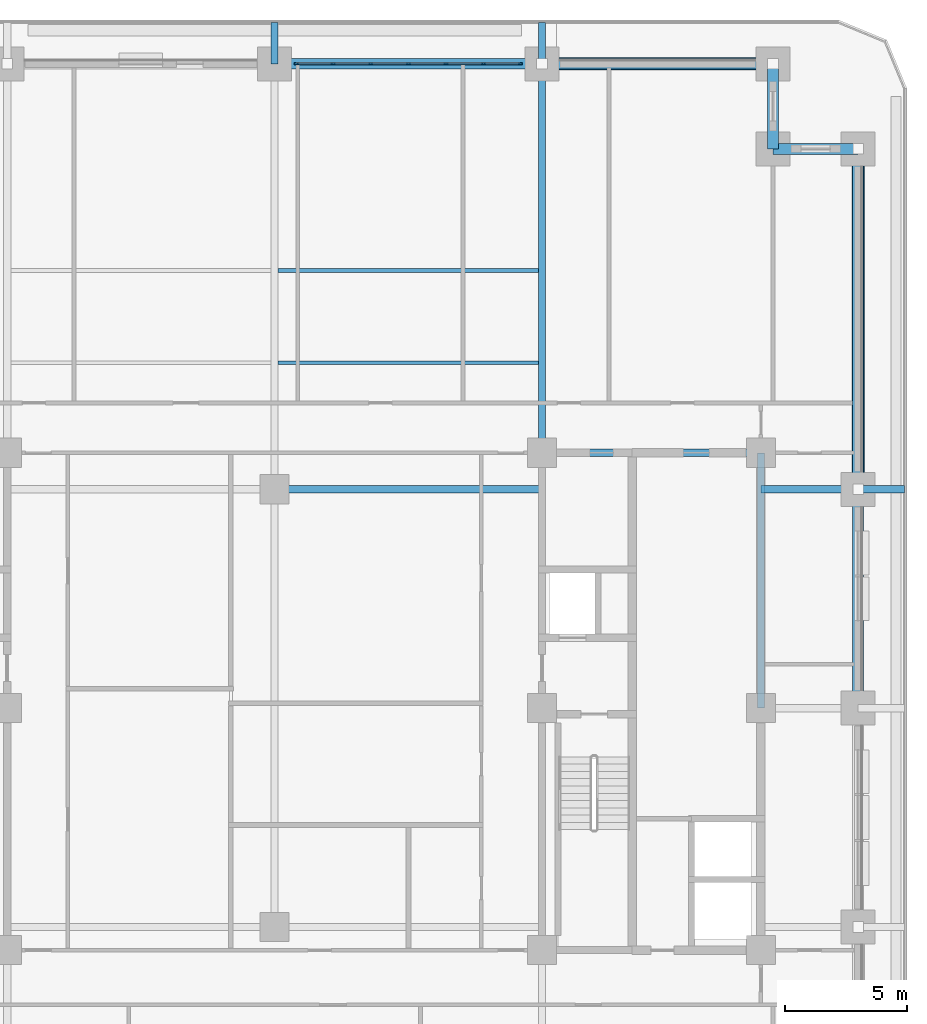
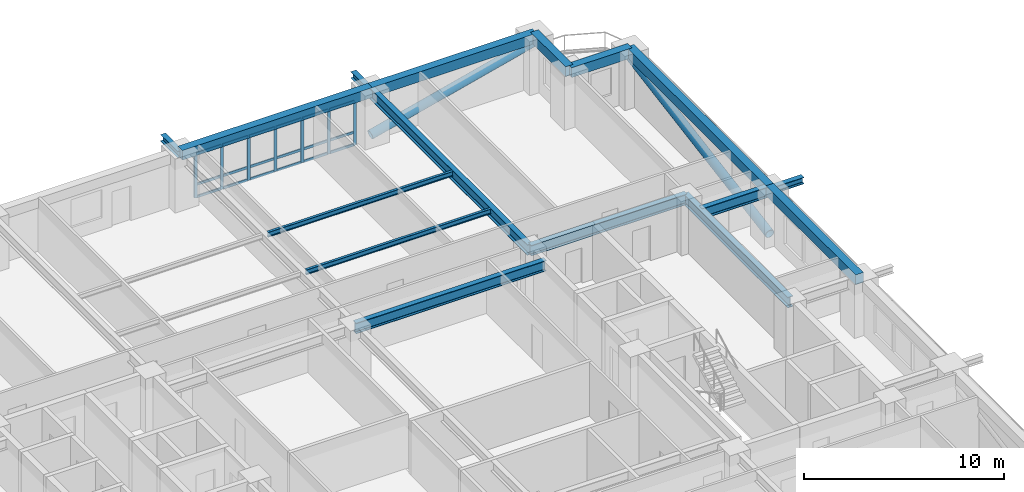
# One storey, part 6 of 20: 27 members, 16 beams, 1 element without a shape of its own.
"""IFC4 building model written with IfcOpenShell, lengths in metres."""

from ifc_helpers import new_model, si_unit, direction, frame, origin, origin_2d, place, context, subcontext, project, spatial, rectangle, hollow_circle, i_section, extrude, material, material_profile, profile_set, type_object, element, aggregate, save


model = new_model("IFC4")

# Units and contexts
model_context = context("Model", 3, precision=1e-05, world=origin(), true_north=direction((0.0, 1.0)))
body_context = subcontext(model_context, "Body", "Model", "MODEL_VIEW")
ifc_project = project(units=[si_unit("LENGTHUNIT", "METRE"), si_unit("AREAUNIT", "SQUARE_METRE"), si_unit("VOLUMEUNIT", "CUBIC_METRE"), si_unit("PLANEANGLEUNIT", "RADIAN"), si_unit("MASSUNIT", "GRAM", prefix="KILO")], contexts=[model_context])

# Site, building, storey
site_placement = place(None, origin())
site = spatial("IfcSite", under=ifc_project, at=site_placement, CompositionType="ELEMENT")
building_placement = place(site_placement, origin())
building = spatial("IfcBuilding", under=site, at=building_placement, Name="Zulmaris Gate Convention Tower", CompositionType="ELEMENT")
storey_placement = place(building_placement, frame((0.0, 0.0, 75.0400390625)))
storey = spatial("IfcBuildingStorey", under=building, at=storey_placement, Name="L18", CompositionType="ELEMENT", Elevation=75.0400390625)

# Beams
ifc_material_1 = material(Name="Steel S355", Category="steel")
ifc_material_profile_1 = material_profile(ifc_material_1, i_section(OverallWidth=0.300048828125, OverallDepth=0.39990234375, WebThickness=0.013427734375, FlangeThickness=0.02392578125, FilletRadius=0.027099609375, at=origin_2d()), Name="HEB 400")
ifc_profile_set_1 = profile_set([ifc_material_profile_1], Name="Steel S355")
beam_type_1 = type_object("IfcBeamType", Name="BM-HEB400", PredefinedType="BEAM", material=ifc_profile_set_1)
for number, where, z_axis, x_axis, name in (
    (1, (0.0, 26.5, 2.97998046875), (0.0, 1.0, 0.0), (-1.0, 0.0, 0.0), "L18 Beam TBRK-L18-N-+0"),
    (2, (11.0, 26.5, 2.97998046875), (0.0, 1.0, 0.0), (-1.0, 0.0, 0.0), "L18 Beam TBRK-L18-N-+11"),
):
    element("IfcBeam", number, at=place(storey_placement, frame(where, z_axis=z_axis, x_axis=x_axis)), inside=storey, type_object=beam_type_1, Name=name, PredefinedType="BEAM", context=body_context, shape_type="SweptSolid", body=[
        extrude(i_section(OverallWidth=0.300048828125, OverallDepth=0.39990234375, WebThickness=0.013427734375, FlangeThickness=0.02392578125, FilletRadius=0.027099609375, at=origin_2d()), origin(), (0.0, 0.0, 1.0), 1.699951171875),
    ])
beam_1_placement = place(storey_placement, frame((24.0, 9.0, 2.97998046875), z_axis=(1.0, 0.0, 0.0), x_axis=(0.0, 1.0, 0.0)))
element("IfcBeam", 3, at=beam_1_placement, inside=storey, type_object=beam_type_1, Name="L18 Beam TBRK-L18-E-+9", PredefinedType="BEAM", context=body_context, shape_type="SweptSolid", body=[
    extrude(i_section(OverallWidth=0.300048828125, OverallDepth=0.39990234375, WebThickness=0.013427734375, FlangeThickness=0.02392578125, FilletRadius=0.027099609375, at=origin_2d()), origin(), (0.0, 0.0, 1.0), 1.89990234375),
])
ifc_material_profile_2 = material_profile(ifc_material_1, i_section(OverallWidth=0.300048828125, OverallDepth=0.64990234375, WebThickness=0.01611328125, FlangeThickness=0.031005859375, FilletRadius=0.027099609375, at=origin_2d()), Name="HEB 650")
ifc_profile_set_2 = profile_set([ifc_material_profile_2], Name="Steel S355")
beam_type_2 = type_object("IfcBeamType", Name="BM-HEB650", PredefinedType="BEAM", material=ifc_profile_set_2)
beam_2_placement = place(storey_placement, frame((0.0, 9.0, 2.992919921875), z_axis=(1.0, 0.0, 0.0), x_axis=(0.0, 1.0, 0.0)))
element("IfcBeam", 4, at=beam_2_placement, inside=storey, type_object=beam_type_2, Name="L18 Beam BM-L18-G04", PredefinedType="BEAM", context=body_context, shape_type="SweptSolid", body=[
    extrude(i_section(OverallWidth=0.300048828125, OverallDepth=0.64990234375, WebThickness=0.01611328125, FlangeThickness=0.031005859375, FilletRadius=0.027099609375, at=origin_2d()), origin(), (0.0, 0.0, 1.0), 11.0),
])
beam_3_placement = place(storey_placement, frame((11.0, 10.5, 2.992919921875), z_axis=(0.0, 1.0, 0.0), x_axis=(-1.0, 0.0, 0.0)))
element("IfcBeam", 5, at=beam_3_placement, inside=storey, type_object=beam_type_2, Name="L18 Beam BM-L18-G11", PredefinedType="BEAM", context=body_context, shape_type="SweptSolid", body=[
    extrude(i_section(OverallWidth=0.300048828125, OverallDepth=0.64990234375, WebThickness=0.01611328125, FlangeThickness=0.031005859375, FilletRadius=0.027099609375, at=origin_2d()), origin(), (0.0, 0.0, 1.0), 16.0),
])
beam_4_placement = place(storey_placement, frame((20.0, 9.0, 2.992919921875), z_axis=(1.0, 0.0, 0.0), x_axis=(0.0, 1.0, 0.0)))
element("IfcBeam", 6, at=beam_4_placement, inside=storey, type_object=beam_type_2, Name="L18 Beam BM-L18-G21", PredefinedType="BEAM", context=body_context, shape_type="SweptSolid", body=[
    extrude(i_section(OverallWidth=0.300048828125, OverallDepth=0.64990234375, WebThickness=0.01611328125, FlangeThickness=0.031005859375, FilletRadius=0.027099609375, at=origin_2d()), origin(), (0.0, 0.0, 1.0), 4.0),
])
beam_5_placement = place(storey_placement, frame((11.0, 10.5, 2.992919921875), z_axis=(1.0, 0.0, 0.0), x_axis=(0.0, 1.0, 0.0)))
element("IfcBeam", 7, at=beam_5_placement, inside=storey, type_object=beam_type_2, Name="L18 Beam BM-L18-G25", PredefinedType="BEAM", context=body_context, shape_type="SweptSolid", body=[
    extrude(i_section(OverallWidth=0.300048828125, OverallDepth=0.64990234375, WebThickness=0.01611328125, FlangeThickness=0.031005859375, FilletRadius=0.027099609375, at=origin_2d()), origin(), (0.0, 0.0, 1.0), 9.0),
])
beam_6_placement = place(storey_placement, frame((20.0, 0.0, 2.992919921875), z_axis=(0.0, 1.0, 0.0), x_axis=(-1.0, 0.0, 0.0)))
element("IfcBeam", 8, at=beam_6_placement, inside=storey, type_object=beam_type_2, Name="L18 Beam BM-L18-G29", PredefinedType="BEAM", context=body_context, shape_type="SweptSolid", body=[
    extrude(i_section(OverallWidth=0.300048828125, OverallDepth=0.64990234375, WebThickness=0.01611328125, FlangeThickness=0.031005859375, FilletRadius=0.027099609375, at=origin_2d()), origin(), (0.0, 0.0, 1.0), 10.5),
])
ifc_material_2 = material(Name="Precast concrete C50/60", Category="concrete")
ifc_material_profile_3 = material_profile(ifc_material_2, rectangle(XDim=0.449951171875, YDim=0.60009765625, at=origin_2d()), Name="RC SPANDREL 450x600")
ifc_profile_set_3 = profile_set([ifc_material_profile_3], Name="Precast concrete C50/60")
beam_type_3 = type_object("IfcBeamType", Name="BM-SP450x600", PredefinedType="SPANDREL", material=ifc_profile_set_3)
beam_7_placement = place(storey_placement, frame((24.0, 0.0, 3.019775390625), z_axis=(0.0, 1.0, 0.0), x_axis=(-1.0, 0.0, 0.0)))
element("IfcBeam", 9, at=beam_7_placement, inside=storey, type_object=beam_type_3, Name="L18 Spandrel SP-L18-09", PredefinedType="SPANDREL", context=body_context, shape_type="SweptSolid", body=[
    extrude(rectangle(XDim=0.449951171875, YDim=0.60009765625, at=origin_2d()), origin(), (0.0, 0.0, 1.0), 9.0),
])
beam_8_placement = place(storey_placement, frame((24.0, 9.0, 3.019775390625), z_axis=(0.0, 1.0, 0.0), x_axis=(-1.0, 0.0, 0.0)))
element("IfcBeam", 10, at=beam_8_placement, inside=storey, type_object=beam_type_3, Name="L18 Spandrel SP-L18-10", PredefinedType="SPANDREL", context=body_context, shape_type="SweptSolid", body=[
    extrude(rectangle(XDim=0.449951171875, YDim=0.60009765625, at=origin_2d()), origin(), (0.0, 0.0, 1.0), 14.0),
])
for number, where, z_axis, x_axis, name in (
    (11, (24.0, 23.0, 3.019775390625), (-1.0, 0.0, 0.0), (0.0, -1.0, 0.0), "L18 Spandrel SP-L18-11"),
    (12, (20.5, 23.0, 3.019775390625), (0.0, 1.0, 0.0), (-1.0, 0.0, 0.0), "L18 Spandrel SP-L18-12"),
):
    element("IfcBeam", number, at=place(storey_placement, frame(where, z_axis=z_axis, x_axis=x_axis)), inside=storey, type_object=beam_type_3, Name=name, PredefinedType="SPANDREL", context=body_context, shape_type="SweptSolid", body=[
        extrude(rectangle(XDim=0.449951171875, YDim=0.60009765625, at=origin_2d()), origin(), (0.0, 0.0, 1.0), 3.5),
    ])
beam_9_placement = place(storey_placement, frame((20.5, 26.5, 3.019775390625), z_axis=(-1.0, 0.0, 0.0), x_axis=(0.0, -1.0, 0.0)))
element("IfcBeam", 13, at=beam_9_placement, inside=storey, type_object=beam_type_3, Name="L18 Spandrel SP-L18-13", PredefinedType="SPANDREL", context=body_context, shape_type="SweptSolid", body=[
    extrude(rectangle(XDim=0.449951171875, YDim=0.60009765625, at=origin_2d()), origin(), (0.0, 0.0, 1.0), 9.5),
])
beam_10_placement = place(storey_placement, frame((11.0, 26.5, 3.019775390625), z_axis=(-1.0, 0.0, 0.0), x_axis=(0.0, -1.0, 0.0)))
element("IfcBeam", 14, at=beam_10_placement, inside=storey, type_object=beam_type_3, Name="L18 Spandrel SP-L18-14", PredefinedType="SPANDREL", context=body_context, shape_type="SweptSolid", body=[
    extrude(rectangle(XDim=0.449951171875, YDim=0.60009765625, at=origin_2d()), origin(), (0.0, 0.0, 1.0), 11.0),
])

# Members
ifc_material_3 = material(Name="Steel S460", Category="steel")
ifc_material_profile_4 = material_profile(ifc_material_3, hollow_circle(Radius=0.25390625, WallThickness=0.02490234375, at=origin_2d()), Name="CHS 508x25")
ifc_profile_set_4 = profile_set([ifc_material_profile_4], Name="Steel S460")
member_type_1 = type_object("IfcMemberType", Name="BR-CHS508", PredefinedType="BRACE", material=ifc_profile_set_4)
member_1_placement = place(storey_placement, frame((24.0, 9.0, 0.300048828125), z_axis=(0.0, 0.985623399742, 0.168957136221), x_axis=(-1.0, 0.0, 0.0)))
element("IfcMember", 15, at=member_1_placement, inside=storey, type_object=member_type_1, Name="L18 Perimeter Tube Diagonal NE-E", PredefinedType="BRACE", context=body_context, shape_type="SweptSolid", body=[
    extrude(hollow_circle(Radius=0.25390625, WallThickness=0.02490234375, at=origin_2d()), origin(), (0.0, 0.0, 1.0), 14.2041015625),
])
member_2_placement = place(storey_placement, frame((11.0, 26.5, 0.300048828125), z_axis=(0.969541561087, 0.0, 0.244926848928), x_axis=(0.0, 1.0, 0.0)))
element("IfcMember", 16, at=member_2_placement, inside=storey, type_object=member_type_1, Name="L18 Perimeter Tube Diagonal NE-N", PredefinedType="BRACE", context=body_context, shape_type="SweptSolid", body=[
    extrude(hollow_circle(Radius=0.25390625, WallThickness=0.02490234375, at=origin_2d()), origin(), (0.0, 0.0, 1.0), 9.79833984375),
])

# Curtain wall, members
ifc_material_4 = material(Name="Anodised Aluminium", Category="aluminium")
curtain_wall_type = type_object("IfcCurtainWallType", Name="CW-05", PredefinedType="NOTDEFINED", material=ifc_material_4)
curtain_wall_placement = place(storey_placement, origin())
curtain_wall = element("IfcCurtainWall", 17, at=curtain_wall_placement, inside=storey, type_object=curtain_wall_type, Name="CW-05 CW05-L18-N-2_0", PredefinedType="NOTDEFINED")
ifc_material_profile_5 = material_profile(ifc_material_4, rectangle(XDim=0.074951171875, YDim=0.179931640625, at=origin_2d()), Name="ALU MULLION 75x180")
ifc_profile_set_5 = profile_set([ifc_material_profile_5], Name="Anodised Aluminium")
member_type_2 = type_object("IfcMemberType", Name="CW-05-MULL", PredefinedType="MULLION", material=ifc_profile_set_5)
member_3_placement = place(storey_placement, frame((10.1025390625, 26.5, 0.0), z_axis=(0.0, 0.0, 1.0), x_axis=(0.0, -1.0, 0.0)))
member_3 = element("IfcMember", 18, at=member_3_placement, type_object=member_type_2, Name="CW-05 mullion 1", PredefinedType="MULLION", context=body_context, shape_type="SweptSolid", body=[
    extrude(rectangle(XDim=0.074951171875, YDim=0.179931640625, at=origin_2d()), origin(), (0.0, 0.0, 1.0), 2.7119140625),
])
member_4_placement = place(storey_placement, frame((8.59326171875, 26.5, 0.0), z_axis=(0.0, 0.0, 1.0), x_axis=(0.0, -1.0, 0.0)))
member_4 = element("IfcMember", 19, at=member_4_placement, type_object=member_type_2, Name="CW-05 mullion 2", PredefinedType="MULLION", context=body_context, shape_type="SweptSolid", body=[
    extrude(rectangle(XDim=0.074951171875, YDim=0.179931640625, at=origin_2d()), origin(), (0.0, 0.0, 1.0), 2.7119140625),
])
member_5_placement = place(storey_placement, frame((7.046630859375, 26.5, 0.0), z_axis=(0.0, 0.0, 1.0), x_axis=(0.0, -1.0, 0.0)))
member_5 = element("IfcMember", 20, at=member_5_placement, type_object=member_type_2, Name="CW-05 mullion 3", PredefinedType="MULLION", context=body_context, shape_type="SweptSolid", body=[
    extrude(rectangle(XDim=0.074951171875, YDim=0.179931640625, at=origin_2d()), origin(), (0.0, 0.0, 1.0), 2.7119140625),
])
member_6_placement = place(storey_placement, frame((5.5, 26.5, 0.0), z_axis=(0.0, 0.0, 1.0), x_axis=(0.0, -1.0, 0.0)))
member_6 = element("IfcMember", 21, at=member_6_placement, type_object=member_type_2, Name="CW-05 mullion 4", PredefinedType="MULLION", context=body_context, shape_type="SweptSolid", body=[
    extrude(rectangle(XDim=0.074951171875, YDim=0.179931640625, at=origin_2d()), origin(), (0.0, 0.0, 1.0), 2.7119140625),
])
member_7_placement = place(storey_placement, frame((3.953369140625, 26.5, 0.0), z_axis=(0.0, 0.0, 1.0), x_axis=(0.0, -1.0, 0.0)))
member_7 = element("IfcMember", 22, at=member_7_placement, type_object=member_type_2, Name="CW-05 mullion 5", PredefinedType="MULLION", context=body_context, shape_type="SweptSolid", body=[
    extrude(rectangle(XDim=0.074951171875, YDim=0.179931640625, at=origin_2d()), origin(), (0.0, 0.0, 1.0), 2.7119140625),
])
member_8_placement = place(storey_placement, frame((2.40673828125, 26.5, 0.0), z_axis=(0.0, 0.0, 1.0), x_axis=(0.0, -1.0, 0.0)))
member_8 = element("IfcMember", 23, at=member_8_placement, type_object=member_type_2, Name="CW-05 mullion 6", PredefinedType="MULLION", context=body_context, shape_type="SweptSolid", body=[
    extrude(rectangle(XDim=0.074951171875, YDim=0.179931640625, at=origin_2d()), origin(), (0.0, 0.0, 1.0), 2.7119140625),
])
member_9_placement = place(storey_placement, frame((0.8974609375, 26.5, 0.0), z_axis=(0.0, 0.0, 1.0), x_axis=(0.0, -1.0, 0.0)))
member_9 = element("IfcMember", 24, at=member_9_placement, type_object=member_type_2, Name="CW-05 mullion 7", PredefinedType="MULLION", context=body_context, shape_type="SweptSolid", body=[
    extrude(rectangle(XDim=0.074951171875, YDim=0.179931640625, at=origin_2d()), origin(), (0.0, 0.0, 1.0), 2.7119140625),
])
ifc_material_profile_6 = material_profile(ifc_material_4, rectangle(XDim=0.074951171875, YDim=0.14990234375, at=origin_2d()), Name="ALU TRANSOM 75x150")
ifc_profile_set_6 = profile_set([ifc_material_profile_6], Name="Anodised Aluminium")
member_type_3 = type_object("IfcMemberType", Name="CW-05-TRAN", PredefinedType="USERDEFINED", material=ifc_profile_set_6)
member_10_placement = place(storey_placement, frame((10.06494140625, 26.5, 0.037353515625), z_axis=(-1.0, 0.0, 0.0), x_axis=(0.0, -1.0, 0.0)))
member_10 = element("IfcMember", 25, at=member_10_placement, type_object=member_type_3, Name="CW-05 transom 1.1", ObjectType="TRANSOM", PredefinedType="USERDEFINED", context=body_context, shape_type="SweptSolid", body=[
    extrude(rectangle(XDim=0.074951171875, YDim=0.14990234375, at=origin_2d()), origin(), (0.0, 0.0, 1.0), 1.43408203125),
])
member_11_placement = place(storey_placement, frame((10.06494140625, 26.5, 0.800048828125), z_axis=(-1.0, 0.0, 0.0), x_axis=(0.0, -1.0, 0.0)))
member_11 = element("IfcMember", 26, at=member_11_placement, type_object=member_type_3, Name="CW-05 transom 1.2", ObjectType="TRANSOM", PredefinedType="USERDEFINED", context=body_context, shape_type="SweptSolid", body=[
    extrude(rectangle(XDim=0.074951171875, YDim=0.14990234375, at=origin_2d()), origin(), (0.0, 0.0, 1.0), 1.43408203125),
])
member_12_placement = place(storey_placement, frame((10.06494140625, 26.5, 2.67431640625), z_axis=(-1.0, 0.0, 0.0), x_axis=(0.0, -1.0, 0.0)))
member_12 = element("IfcMember", 27, at=member_12_placement, type_object=member_type_3, Name="CW-05 transom 1.3", ObjectType="TRANSOM", PredefinedType="USERDEFINED", context=body_context, shape_type="SweptSolid", body=[
    extrude(rectangle(XDim=0.074951171875, YDim=0.14990234375, at=origin_2d()), origin(), (0.0, 0.0, 1.0), 1.43408203125),
])
member_13_placement = place(storey_placement, frame((8.555908203125, 26.5, 0.037353515625), z_axis=(-1.0, 0.0, 0.0), x_axis=(0.0, -1.0, 0.0)))
member_13 = element("IfcMember", 28, at=member_13_placement, type_object=member_type_3, Name="CW-05 transom 2.1", ObjectType="TRANSOM", PredefinedType="USERDEFINED", context=body_context, shape_type="SweptSolid", body=[
    extrude(rectangle(XDim=0.074951171875, YDim=0.14990234375, at=origin_2d()), origin(), (0.0, 0.0, 1.0), 1.4716796875),
])
member_14_placement = place(storey_placement, frame((8.555908203125, 26.5, 0.800048828125), z_axis=(-1.0, 0.0, 0.0), x_axis=(0.0, -1.0, 0.0)))
member_14 = element("IfcMember", 29, at=member_14_placement, type_object=member_type_3, Name="CW-05 transom 2.2", ObjectType="TRANSOM", PredefinedType="USERDEFINED", context=body_context, shape_type="SweptSolid", body=[
    extrude(rectangle(XDim=0.074951171875, YDim=0.14990234375, at=origin_2d()), origin(), (0.0, 0.0, 1.0), 1.4716796875),
])
member_15_placement = place(storey_placement, frame((8.555908203125, 26.5, 2.67431640625), z_axis=(-1.0, 0.0, 0.0), x_axis=(0.0, -1.0, 0.0)))
member_15 = element("IfcMember", 30, at=member_15_placement, type_object=member_type_3, Name="CW-05 transom 2.3", ObjectType="TRANSOM", PredefinedType="USERDEFINED", context=body_context, shape_type="SweptSolid", body=[
    extrude(rectangle(XDim=0.074951171875, YDim=0.14990234375, at=origin_2d()), origin(), (0.0, 0.0, 1.0), 1.4716796875),
])
member_16_placement = place(storey_placement, frame((7.00927734375, 26.5, 0.037353515625), z_axis=(-1.0, 0.0, 0.0), x_axis=(0.0, -1.0, 0.0)))
member_16 = element("IfcMember", 31, at=member_16_placement, type_object=member_type_3, Name="CW-05 transom 3.1", ObjectType="TRANSOM", PredefinedType="USERDEFINED", context=body_context, shape_type="SweptSolid", body=[
    extrude(rectangle(XDim=0.074951171875, YDim=0.14990234375, at=origin_2d()), origin(), (0.0, 0.0, 1.0), 1.4716796875),
])
member_17_placement = place(storey_placement, frame((7.00927734375, 26.5, 0.800048828125), z_axis=(-1.0, 0.0, 0.0), x_axis=(0.0, -1.0, 0.0)))
member_17 = element("IfcMember", 32, at=member_17_placement, type_object=member_type_3, Name="CW-05 transom 3.2", ObjectType="TRANSOM", PredefinedType="USERDEFINED", context=body_context, shape_type="SweptSolid", body=[
    extrude(rectangle(XDim=0.074951171875, YDim=0.14990234375, at=origin_2d()), origin(), (0.0, 0.0, 1.0), 1.4716796875),
])
member_18_placement = place(storey_placement, frame((7.00927734375, 26.5, 2.67431640625), z_axis=(-1.0, 0.0, 0.0), x_axis=(0.0, -1.0, 0.0)))
member_18 = element("IfcMember", 33, at=member_18_placement, type_object=member_type_3, Name="CW-05 transom 3.3", ObjectType="TRANSOM", PredefinedType="USERDEFINED", context=body_context, shape_type="SweptSolid", body=[
    extrude(rectangle(XDim=0.074951171875, YDim=0.14990234375, at=origin_2d()), origin(), (0.0, 0.0, 1.0), 1.4716796875),
])
member_19_placement = place(storey_placement, frame((5.46240234375, 26.5, 0.037353515625), z_axis=(-1.0, 0.0, 0.0), x_axis=(0.0, -1.0, 0.0)))
member_19 = element("IfcMember", 34, at=member_19_placement, type_object=member_type_3, Name="CW-05 transom 4.1", ObjectType="TRANSOM", PredefinedType="USERDEFINED", context=body_context, shape_type="SweptSolid", body=[
    extrude(rectangle(XDim=0.074951171875, YDim=0.14990234375, at=origin_2d()), origin(), (0.0, 0.0, 1.0), 1.4716796875),
])
member_20_placement = place(storey_placement, frame((5.46240234375, 26.5, 0.800048828125), z_axis=(-1.0, 0.0, 0.0), x_axis=(0.0, -1.0, 0.0)))
member_20 = element("IfcMember", 35, at=member_20_placement, type_object=member_type_3, Name="CW-05 transom 4.2", ObjectType="TRANSOM", PredefinedType="USERDEFINED", context=body_context, shape_type="SweptSolid", body=[
    extrude(rectangle(XDim=0.074951171875, YDim=0.14990234375, at=origin_2d()), origin(), (0.0, 0.0, 1.0), 1.4716796875),
])
member_21_placement = place(storey_placement, frame((5.46240234375, 26.5, 2.67431640625), z_axis=(-1.0, 0.0, 0.0), x_axis=(0.0, -1.0, 0.0)))
member_21 = element("IfcMember", 36, at=member_21_placement, type_object=member_type_3, Name="CW-05 transom 4.3", ObjectType="TRANSOM", PredefinedType="USERDEFINED", context=body_context, shape_type="SweptSolid", body=[
    extrude(rectangle(XDim=0.074951171875, YDim=0.14990234375, at=origin_2d()), origin(), (0.0, 0.0, 1.0), 1.4716796875),
])
member_22_placement = place(storey_placement, frame((3.915771484375, 26.5, 0.037353515625), z_axis=(-1.0, 0.0, 0.0), x_axis=(0.0, -1.0, 0.0)))
member_22 = element("IfcMember", 37, at=member_22_placement, type_object=member_type_3, Name="CW-05 transom 5.1", ObjectType="TRANSOM", PredefinedType="USERDEFINED", context=body_context, shape_type="SweptSolid", body=[
    extrude(rectangle(XDim=0.074951171875, YDim=0.14990234375, at=origin_2d()), origin(), (0.0, 0.0, 1.0), 1.4716796875),
])
member_23_placement = place(storey_placement, frame((3.915771484375, 26.5, 0.800048828125), z_axis=(-1.0, 0.0, 0.0), x_axis=(0.0, -1.0, 0.0)))
member_23 = element("IfcMember", 38, at=member_23_placement, type_object=member_type_3, Name="CW-05 transom 5.2", ObjectType="TRANSOM", PredefinedType="USERDEFINED", context=body_context, shape_type="SweptSolid", body=[
    extrude(rectangle(XDim=0.074951171875, YDim=0.14990234375, at=origin_2d()), origin(), (0.0, 0.0, 1.0), 1.4716796875),
])
member_24_placement = place(storey_placement, frame((3.915771484375, 26.5, 2.67431640625), z_axis=(-1.0, 0.0, 0.0), x_axis=(0.0, -1.0, 0.0)))
member_24 = element("IfcMember", 39, at=member_24_placement, type_object=member_type_3, Name="CW-05 transom 5.3", ObjectType="TRANSOM", PredefinedType="USERDEFINED", context=body_context, shape_type="SweptSolid", body=[
    extrude(rectangle(XDim=0.074951171875, YDim=0.14990234375, at=origin_2d()), origin(), (0.0, 0.0, 1.0), 1.4716796875),
])
member_25_placement = place(storey_placement, frame((2.369140625, 26.5, 0.037353515625), z_axis=(-1.0, 0.0, 0.0), x_axis=(0.0, -1.0, 0.0)))
member_25 = element("IfcMember", 40, at=member_25_placement, type_object=member_type_3, Name="CW-05 transom 6.1", ObjectType="TRANSOM", PredefinedType="USERDEFINED", context=body_context, shape_type="SweptSolid", body=[
    extrude(rectangle(XDim=0.074951171875, YDim=0.14990234375, at=origin_2d()), origin(), (0.0, 0.0, 1.0), 1.43408203125),
])
member_26_placement = place(storey_placement, frame((2.369140625, 26.5, 0.800048828125), z_axis=(-1.0, 0.0, 0.0), x_axis=(0.0, -1.0, 0.0)))
member_26 = element("IfcMember", 41, at=member_26_placement, type_object=member_type_3, Name="CW-05 transom 6.2", ObjectType="TRANSOM", PredefinedType="USERDEFINED", context=body_context, shape_type="SweptSolid", body=[
    extrude(rectangle(XDim=0.074951171875, YDim=0.14990234375, at=origin_2d()), origin(), (0.0, 0.0, 1.0), 1.43408203125),
])
member_27_placement = place(storey_placement, frame((2.369140625, 26.5, 2.67431640625), z_axis=(-1.0, 0.0, 0.0), x_axis=(0.0, -1.0, 0.0)))
member_27 = element("IfcMember", 42, at=member_27_placement, type_object=member_type_3, Name="CW-05 transom 6.3", ObjectType="TRANSOM", PredefinedType="USERDEFINED", context=body_context, shape_type="SweptSolid", body=[
    extrude(rectangle(XDim=0.074951171875, YDim=0.14990234375, at=origin_2d()), origin(), (0.0, 0.0, 1.0), 1.43408203125),
])
aggregate(curtain_wall, [member_3, member_4, member_5, member_6, member_7, member_8, member_9, member_10, member_11, member_12, member_13, member_14, member_15, member_16, member_17, member_18, member_19, member_20, member_21, member_22, member_23, member_24, member_25, member_26, member_27])

# Beams
ifc_material_profile_7 = material_profile(ifc_material_1, i_section(OverallWidth=0.14990234375, OverallDepth=0.300048828125, WebThickness=0.007080078125, FlangeThickness=0.0107421875, FilletRadius=0.014892578125, at=origin_2d()), Name="IPE 300")
ifc_profile_set_7 = profile_set([ifc_material_profile_7], Name="Steel S355")
beam_type_4 = type_object("IfcBeamType", Name="JT-IPE300", PredefinedType="JOIST", material=ifc_profile_set_7)
for number, where, z_axis, x_axis, name in (
    (43, (0.14990234375, 14.199951171875, 3.16796875), (1.0, 0.0, 0.0), (0.0, 1.0, 0.0), "L18 Joist JT-L18-CE-+14.2"),
    (44, (0.14990234375, 18.0, 3.16796875), (1.0, 0.0, 0.0), (0.0, 1.0, 0.0), "L18 Joist JT-L18-CE-+18.0"),
):
    element("IfcBeam", number, at=place(storey_placement, frame(where, z_axis=z_axis, x_axis=x_axis)), inside=storey, type_object=beam_type_4, Name=name, PredefinedType="JOIST", context=body_context, shape_type="SweptSolid", body=[
        extrude(i_section(OverallWidth=0.14990234375, OverallDepth=0.300048828125, WebThickness=0.007080078125, FlangeThickness=0.0107421875, FilletRadius=0.014892578125, at=origin_2d()), origin(), (0.0, 0.0, 1.0), 10.7001953125),
    ])

save(model, "model.ifc")
